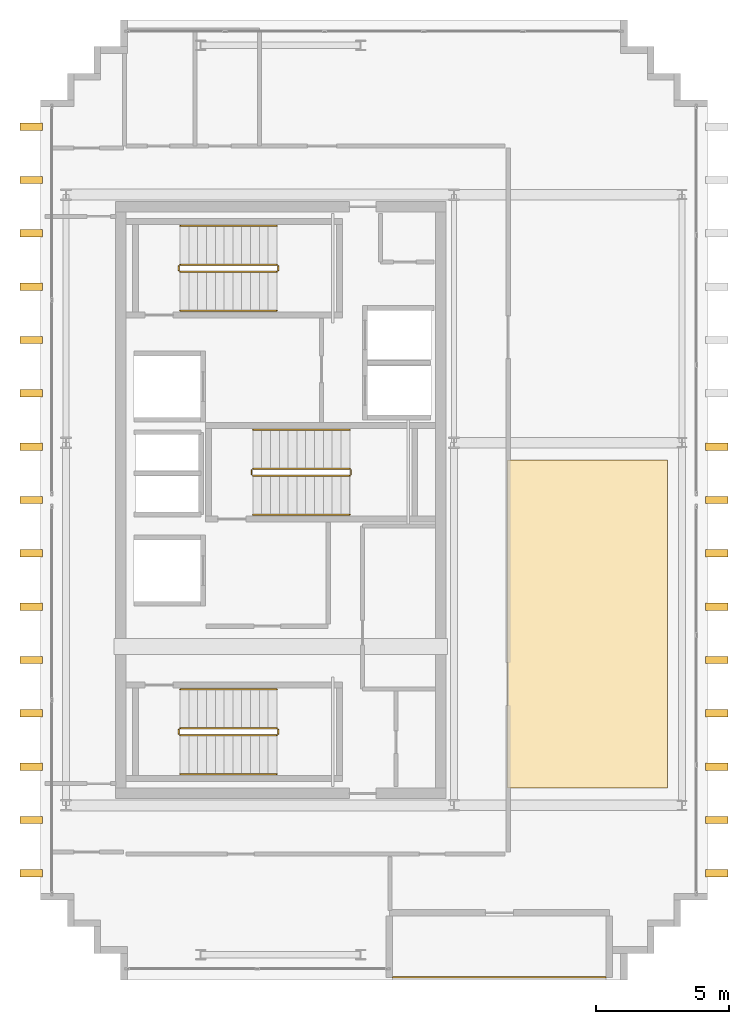
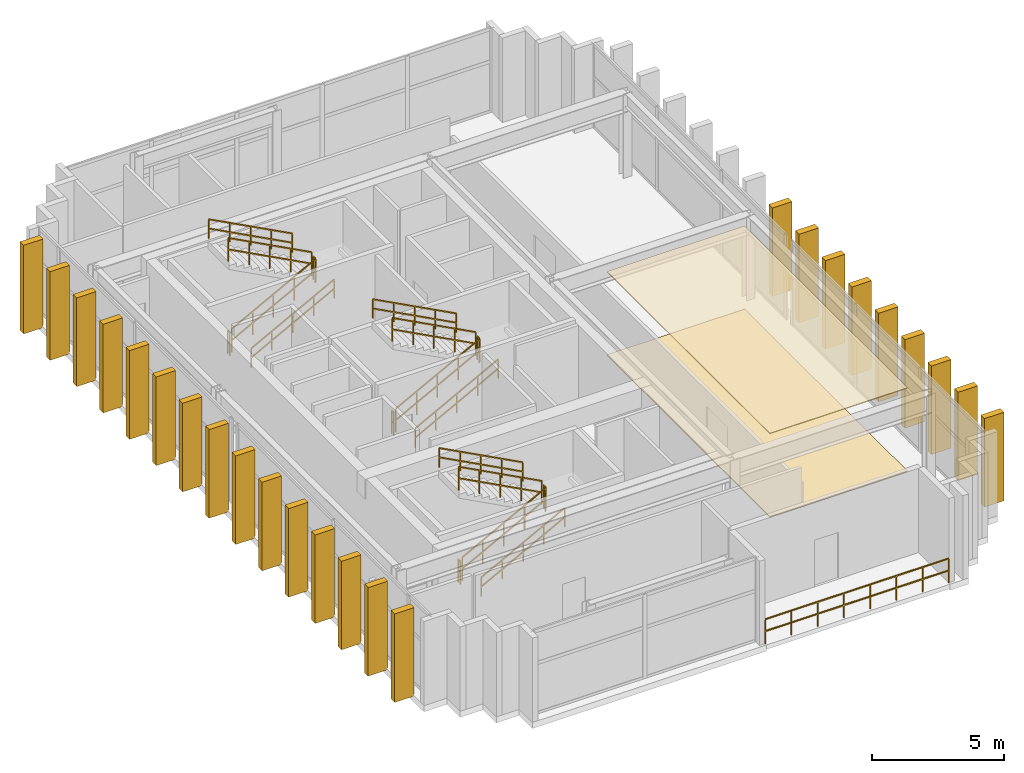
# One storey, part 14 of 15: 24 shading devices, 19 railings, 2 coverings.
"""IFC4 building model written with IfcOpenShell, lengths in metres."""

from ifc_helpers import new_model, si_unit, direction, frame, origin, origin_2d, place, context, subcontext, project, spatial, polyline, rectangle, outline, extrude, source, transform, mapped, material, layer, layer_set, type_object, element, save


model = new_model("IFC4")

# Units and contexts
model_context = context("Model", 3, precision=1e-05, world=origin(), true_north=direction((0.0, 1.0)))
body_context = subcontext(model_context, "Body", "Model", "MODEL_VIEW")
ifc_project = project(units=[si_unit("LENGTHUNIT", "METRE"), si_unit("AREAUNIT", "SQUARE_METRE"), si_unit("VOLUMEUNIT", "CUBIC_METRE"), si_unit("PLANEANGLEUNIT", "RADIAN"), si_unit("MASSUNIT", "GRAM", prefix="KILO")], contexts=[model_context])

# Site, building, storey
site_placement = place(None, origin())
site = spatial("IfcSite", under=ifc_project, at=site_placement, CompositionType="ELEMENT")
building_placement = place(site_placement, origin())
building = spatial("IfcBuilding", under=site, at=building_placement, Name="Ocotamira Hotel", CompositionType="ELEMENT")
storey_placement = place(building_placement, frame((0.0, 0.0, 305.39990234375)))
storey = spatial("IfcBuildingStorey", under=building, at=storey_placement, Name="L78", CompositionType="ELEMENT", Elevation=305.39990234375)

# Coverings
ifc_material_1 = material(Name="Baffled acoustic wood-slat and gypsum ceiling", Category="wood")
ifc_layer_1 = layer(ifc_material_1, 0.0400390625)
ifc_layer_set_1 = layer_set([ifc_layer_1], Name="Baffled acoustic wood-slat and gypsum ceiling")
covering_type_1 = type_object("IfcCoveringType", Name="COV-CEIL-40", PredefinedType="CEILING", material=ifc_layer_set_1)
covering_1_placement = place(storey_placement, frame((0.0, 0.0, 3.840087890625)))
element("IfcCovering", 1, at=covering_1_placement, inside=storey, type_object=covering_type_1, Name="L78 Acoustic Ceiling", PredefinedType="CEILING", context=body_context, shape_type="SweptSolid", body=[
    extrude(outline(polyline([(25.5, 15.199951171875), (31.5, 15.199951171875), (31.5, 27.5), (25.5, 27.5), (25.5, 15.199951171875)])), origin(), (0.0, 0.0, 1.0), 0.0400390625),
])
ifc_material_2 = material(Name="Thick-bed honed Mojave limestone flooring", Category="masonry")
ifc_layer_2 = layer(ifc_material_2, 0.044921875)
ifc_layer_set_2 = layer_set([ifc_layer_2], Name="Thick-bed honed Mojave limestone flooring")
covering_type_2 = type_object("IfcCoveringType", Name="COV-FLOR-45", PredefinedType="FLOORING", material=ifc_layer_set_2)
covering_2_placement = place(storey_placement, origin())
element("IfcCovering", 2, at=covering_2_placement, inside=storey, type_object=covering_type_2, Name="L78 Honed Stone Floor Finish", PredefinedType="FLOORING", context=body_context, shape_type="SweptSolid", body=[
    extrude(outline(polyline([(25.5, 15.199951171875), (31.5, 15.199951171875), (31.5, 27.5), (25.5, 27.5), (25.5, 15.199951171875)])), origin(), (0.0, 0.0, 1.0), 0.045166015625),
])

# Railings
ifc_material_3 = material(Name="Laminated glass and pale-metal balustrade", Category="glass")
railing_type_1 = type_object("IfcRailingType", Name="RL-BAL-1150", PredefinedType="BALUSTRADE", material=ifc_material_3)
railing_1_placement = place(storey_placement, frame((21.199951171875, 8.10009765625, 0.0)))
element("IfcRailing", 3, at=railing_1_placement, inside=storey, type_object=railing_type_1, Name="L78 Sky Terrace Balustrade 1", PredefinedType="BALUSTRADE", context=body_context, shape_type="SweptSolid", body=[
    extrude(rectangle(XDim=0.048095703125, YDim=0.048095703125, at=origin_2d()), frame((0.0, 0.0, 1.1259765625), z_axis=(1.0, 0.0, 0.0), x_axis=(0.0, 1.0, 0.0)), (0.0, 0.0, 1.0), 8.0),
    extrude(rectangle(XDim=0.048095703125, YDim=0.048095703125, at=origin_2d()), frame((0.0, 0.0, 0.574951171875), z_axis=(1.0, 0.0, 0.0), x_axis=(0.0, 1.0, 0.0)), (0.0, 0.0, 1.0), 8.0),
    extrude(rectangle(XDim=0.0419921875, YDim=0.0419921875, at=origin_2d()), origin(), (0.0, 0.0, 1.0), 1.101806640625),
    extrude(rectangle(XDim=0.0419921875, YDim=0.0419921875, at=origin_2d()), frame((1.142822265625, 0.0, 0.0)), (0.0, 0.0, 1.0), 1.101806640625),
    extrude(rectangle(XDim=0.0419921875, YDim=0.0419921875, at=origin_2d()), frame((2.28564453125, 0.0, 0.0)), (0.0, 0.0, 1.0), 1.101806640625),
    extrude(rectangle(XDim=0.0419921875, YDim=0.0419921875, at=origin_2d()), frame((3.428466796875, 0.0, 0.0)), (0.0, 0.0, 1.0), 1.101806640625),
    extrude(rectangle(XDim=0.0419921875, YDim=0.0419921875, at=origin_2d()), frame((4.571533203125, 0.0, 0.0)), (0.0, 0.0, 1.0), 1.101806640625),
    extrude(rectangle(XDim=0.0419921875, YDim=0.0419921875, at=origin_2d()), frame((5.71435546875, 0.0, 0.0)), (0.0, 0.0, 1.0), 1.101806640625),
    extrude(rectangle(XDim=0.0419921875, YDim=0.0419921875, at=origin_2d()), frame((6.857177734375, 0.0, 0.0)), (0.0, 0.0, 1.0), 1.101806640625),
    extrude(rectangle(XDim=0.0419921875, YDim=0.0419921875, at=origin_2d()), frame((8.0, 0.0, 0.0)), (0.0, 0.0, 1.0), 1.101806640625),
])
ifc_material_4 = material(Name="Brushed stainless steel handrail", Category="steel")
railing_type_2 = type_object("IfcRailingType", Name="RL-HAND-900", PredefinedType="HANDRAIL", material=ifc_material_4)
railing_2_placement = place(storey_placement, frame((13.22998046875, 15.719970703125, 0.35009765625)))
element("IfcRailing", 4, at=railing_2_placement, inside=storey, type_object=railing_type_2, Name="L78 ST-1 stair handrail 1", PredefinedType="HANDRAIL", context=body_context, shape_type="SweptSolid", body=[
    extrude(rectangle(XDim=0.048095703125, YDim=0.048095703125, at=origin_2d()), frame((0.0, 0.0, 0.8759765625), z_axis=(0.883463965148, 0.0, 0.468499116632), x_axis=(0.0, 1.0, 0.0)), (0.0, 0.0, 1.0), 4.10888671875),
    extrude(rectangle(XDim=0.048095703125, YDim=0.048095703125, at=origin_2d()), frame((0.0, 0.0, 0.449951171875), z_axis=(0.883463965148, 0.0, 0.468499116632), x_axis=(0.0, 1.0, 0.0)), (0.0, 0.0, 1.0), 4.10888671875),
    extrude(rectangle(XDim=0.0419921875, YDim=0.0419921875, at=origin_2d()), origin(), (0.0, 0.0, 1.0), 0.851806640625),
    extrude(rectangle(XDim=0.0419921875, YDim=0.0419921875, at=origin_2d()), frame((0.907470703125, 0.0, 0.481201171875)), (0.0, 0.0, 1.0), 0.851806640625),
    extrude(rectangle(XDim=0.0419921875, YDim=0.0419921875, at=origin_2d()), frame((1.81494140625, 0.0, 0.96240234375)), (0.0, 0.0, 1.0), 0.851806640625),
    extrude(rectangle(XDim=0.0419921875, YDim=0.0419921875, at=origin_2d()), frame((2.72265625, 0.0, 1.44384765625)), (0.0, 0.0, 1.0), 0.851806640625),
    extrude(rectangle(XDim=0.0419921875, YDim=0.0419921875, at=origin_2d()), frame((3.630126953125, 0.0, 1.925048828125)), (0.0, 0.0, 1.0), 0.851806640625),
])
railing_3_placement = place(storey_placement, frame((16.860107421875, 18.89990234375, 2.4501953125)))
element("IfcRailing", 5, at=railing_3_placement, inside=storey, type_object=railing_type_2, Name="L78 ST-1 stair handrail 2", PredefinedType="HANDRAIL", context=body_context, shape_type="SweptSolid", body=[
    extrude(rectangle(XDim=0.048095703125, YDim=0.048095703125, at=origin_2d()), frame((0.0, 0.0, 0.8759765625), z_axis=(-0.88348855723, 0.0, 0.468452739606), x_axis=(0.0, -1.0, 0.0)), (0.0, 0.0, 1.0), 4.10888671875),
    extrude(rectangle(XDim=0.048095703125, YDim=0.048095703125, at=origin_2d()), frame((0.0, 0.0, 0.449951171875), z_axis=(-0.88348855723, 0.0, 0.468452739606), x_axis=(0.0, -1.0, 0.0)), (0.0, 0.0, 1.0), 4.10888671875),
    extrude(rectangle(XDim=0.0419921875, YDim=0.0419921875, at=origin_2d()), origin(), (0.0, 0.0, 1.0), 0.851806640625),
    extrude(rectangle(XDim=0.0419921875, YDim=0.0419921875, at=origin_2d()), frame((-0.907470703125, 0.0, 0.481201171875)), (0.0, 0.0, 1.0), 0.851806640625),
    extrude(rectangle(XDim=0.0419921875, YDim=0.0419921875, at=origin_2d()), frame((-1.81494140625, 0.0, 0.96240234375)), (0.0, 0.0, 1.0), 0.851806640625),
    extrude(rectangle(XDim=0.0419921875, YDim=0.0419921875, at=origin_2d()), frame((-2.72265625, 0.0, 1.443603515625)), (0.0, 0.0, 1.0), 0.851806640625),
    extrude(rectangle(XDim=0.0419921875, YDim=0.0419921875, at=origin_2d()), frame((-3.630126953125, 0.0, 1.9248046875)), (0.0, 0.0, 1.0), 0.851806640625),
])
railing_4_placement = place(storey_placement, frame((13.22998046875, 33.10009765625, 0.35009765625)))
element("IfcRailing", 6, at=railing_4_placement, inside=storey, type_object=railing_type_2, Name="L78 ST-2 stair handrail 1", PredefinedType="HANDRAIL", context=body_context, shape_type="SweptSolid", body=[
    extrude(rectangle(XDim=0.048095703125, YDim=0.048095703125, at=origin_2d()), frame((0.0, 0.0, 0.8759765625), z_axis=(0.883463965148, 0.0, 0.468499116632), x_axis=(0.0, 1.0, 0.0)), (0.0, 0.0, 1.0), 4.10888671875),
    extrude(rectangle(XDim=0.048095703125, YDim=0.048095703125, at=origin_2d()), frame((0.0, 0.0, 0.449951171875), z_axis=(0.883463965148, 0.0, 0.468499116632), x_axis=(0.0, 1.0, 0.0)), (0.0, 0.0, 1.0), 4.10888671875),
    extrude(rectangle(XDim=0.0419921875, YDim=0.0419921875, at=origin_2d()), origin(), (0.0, 0.0, 1.0), 0.851806640625),
    extrude(rectangle(XDim=0.0419921875, YDim=0.0419921875, at=origin_2d()), frame((0.907470703125, 0.0, 0.481201171875)), (0.0, 0.0, 1.0), 0.851806640625),
    extrude(rectangle(XDim=0.0419921875, YDim=0.0419921875, at=origin_2d()), frame((1.81494140625, 0.0, 0.96240234375)), (0.0, 0.0, 1.0), 0.851806640625),
    extrude(rectangle(XDim=0.0419921875, YDim=0.0419921875, at=origin_2d()), frame((2.72265625, 0.0, 1.44384765625)), (0.0, 0.0, 1.0), 0.851806640625),
    extrude(rectangle(XDim=0.0419921875, YDim=0.0419921875, at=origin_2d()), frame((3.630126953125, 0.0, 1.925048828125)), (0.0, 0.0, 1.0), 0.851806640625),
])
railing_5_placement = place(storey_placement, frame((16.860107421875, 36.280029296875, 2.4501953125)))
element("IfcRailing", 7, at=railing_5_placement, inside=storey, type_object=railing_type_2, Name="L78 ST-2 stair handrail 2", PredefinedType="HANDRAIL", context=body_context, shape_type="SweptSolid", body=[
    extrude(rectangle(XDim=0.048095703125, YDim=0.048095703125, at=origin_2d()), frame((0.0, 0.0, 0.8759765625), z_axis=(-0.88348855723, 0.0, 0.468452739606), x_axis=(0.0, -1.0, 0.0)), (0.0, 0.0, 1.0), 4.10888671875),
    extrude(rectangle(XDim=0.048095703125, YDim=0.048095703125, at=origin_2d()), frame((0.0, 0.0, 0.449951171875), z_axis=(-0.88348855723, 0.0, 0.468452739606), x_axis=(0.0, -1.0, 0.0)), (0.0, 0.0, 1.0), 4.10888671875),
    extrude(rectangle(XDim=0.0419921875, YDim=0.0419921875, at=origin_2d()), origin(), (0.0, 0.0, 1.0), 0.851806640625),
    extrude(rectangle(XDim=0.0419921875, YDim=0.0419921875, at=origin_2d()), frame((-0.907470703125, 0.0, 0.481201171875)), (0.0, 0.0, 1.0), 0.851806640625),
    extrude(rectangle(XDim=0.0419921875, YDim=0.0419921875, at=origin_2d()), frame((-1.81494140625, 0.0, 0.96240234375)), (0.0, 0.0, 1.0), 0.851806640625),
    extrude(rectangle(XDim=0.0419921875, YDim=0.0419921875, at=origin_2d()), frame((-2.72265625, 0.0, 1.443603515625)), (0.0, 0.0, 1.0), 0.851806640625),
    extrude(rectangle(XDim=0.0419921875, YDim=0.0419921875, at=origin_2d()), frame((-3.630126953125, 0.0, 1.9248046875)), (0.0, 0.0, 1.0), 0.851806640625),
])
railing_6_placement = place(storey_placement, frame((15.9599609375, 25.449951171875, 0.35009765625)))
element("IfcRailing", 8, at=railing_6_placement, inside=storey, type_object=railing_type_2, Name="L78 ST-3 stair handrail 1", PredefinedType="HANDRAIL", context=body_context, shape_type="SweptSolid", body=[
    extrude(rectangle(XDim=0.048095703125, YDim=0.048095703125, at=origin_2d()), frame((0.0, 0.0, 0.8759765625), z_axis=(0.883463965148, 0.0, 0.468499116632), x_axis=(0.0, 1.0, 0.0)), (0.0, 0.0, 1.0), 4.10888671875),
    extrude(rectangle(XDim=0.048095703125, YDim=0.048095703125, at=origin_2d()), frame((0.0, 0.0, 0.449951171875), z_axis=(0.883463965148, 0.0, 0.468499116632), x_axis=(0.0, 1.0, 0.0)), (0.0, 0.0, 1.0), 4.10888671875),
    extrude(rectangle(XDim=0.0419921875, YDim=0.0419921875, at=origin_2d()), origin(), (0.0, 0.0, 1.0), 0.851806640625),
    extrude(rectangle(XDim=0.0419921875, YDim=0.0419921875, at=origin_2d()), frame((0.907470703125, 0.0, 0.481201171875)), (0.0, 0.0, 1.0), 0.851806640625),
    extrude(rectangle(XDim=0.0419921875, YDim=0.0419921875, at=origin_2d()), frame((1.81494140625, 0.0, 0.96240234375)), (0.0, 0.0, 1.0), 0.851806640625),
    extrude(rectangle(XDim=0.0419921875, YDim=0.0419921875, at=origin_2d()), frame((2.72265625, 0.0, 1.44384765625)), (0.0, 0.0, 1.0), 0.851806640625),
    extrude(rectangle(XDim=0.0419921875, YDim=0.0419921875, at=origin_2d()), frame((3.630126953125, 0.0, 1.925048828125)), (0.0, 0.0, 1.0), 0.851806640625),
])
railing_7_placement = place(storey_placement, frame((19.590087890625, 28.6298828125, 2.4501953125)))
element("IfcRailing", 9, at=railing_7_placement, inside=storey, type_object=railing_type_2, Name="L78 ST-3 stair handrail 2", PredefinedType="HANDRAIL", context=body_context, shape_type="SweptSolid", body=[
    extrude(rectangle(XDim=0.048095703125, YDim=0.048095703125, at=origin_2d()), frame((0.0, 0.0, 0.8759765625), z_axis=(-0.88348855723, 0.0, 0.468452739606), x_axis=(0.0, -1.0, 0.0)), (0.0, 0.0, 1.0), 4.10888671875),
    extrude(rectangle(XDim=0.048095703125, YDim=0.048095703125, at=origin_2d()), frame((0.0, 0.0, 0.449951171875), z_axis=(-0.88348855723, 0.0, 0.468452739606), x_axis=(0.0, -1.0, 0.0)), (0.0, 0.0, 1.0), 4.10888671875),
    extrude(rectangle(XDim=0.0419921875, YDim=0.0419921875, at=origin_2d()), origin(), (0.0, 0.0, 1.0), 0.851806640625),
    extrude(rectangle(XDim=0.0419921875, YDim=0.0419921875, at=origin_2d()), frame((-0.907470703125, 0.0, 0.481201171875)), (0.0, 0.0, 1.0), 0.851806640625),
    extrude(rectangle(XDim=0.0419921875, YDim=0.0419921875, at=origin_2d()), frame((-1.81494140625, 0.0, 0.96240234375)), (0.0, 0.0, 1.0), 0.851806640625),
    extrude(rectangle(XDim=0.0419921875, YDim=0.0419921875, at=origin_2d()), frame((-2.72265625, 0.0, 1.443603515625)), (0.0, 0.0, 1.0), 0.851806640625),
    extrude(rectangle(XDim=0.0419921875, YDim=0.0419921875, at=origin_2d()), frame((-3.630126953125, 0.0, 1.9248046875)), (0.0, 0.0, 1.0), 0.851806640625),
])
ifc_material_5 = material(Name="Painted steel stair guardrail", Category="steel")
railing_type_3 = type_object("IfcRailingType", Name="RL-STAIR-1100", PredefinedType="GUARDRAIL", material=ifc_material_5)
railing_8_placement = place(storey_placement, frame((13.22998046875, 17.179931640625, 0.175048828125)))
element("IfcRailing", 10, at=railing_8_placement, inside=storey, type_object=railing_type_3, Name="L78 ST-1 stair guard 1", PredefinedType="GUARDRAIL", context=body_context, shape_type="SweptSolid", body=[
    extrude(rectangle(XDim=0.048095703125, YDim=0.048095703125, at=origin_2d()), frame((0.0, 0.0, 1.076171875), z_axis=(0.883463965148, 0.0, 0.468499116632), x_axis=(0.0, 1.0, 0.0)), (0.0, 0.0, 1.0), 4.10888671875),
    extrude(rectangle(XDim=0.048095703125, YDim=0.048095703125, at=origin_2d()), frame((0.0, 0.0, 0.550048828125), z_axis=(0.883463965148, 0.0, 0.468499116632), x_axis=(0.0, 1.0, 0.0)), (0.0, 0.0, 1.0), 4.10888671875),
    extrude(rectangle(XDim=0.0419921875, YDim=0.0419921875, at=origin_2d()), origin(), (0.0, 0.0, 1.0), 1.052001953125),
    extrude(rectangle(XDim=0.0419921875, YDim=0.0419921875, at=origin_2d()), frame((0.907470703125, 0.0, 0.481201171875)), (0.0, 0.0, 1.0), 1.052001953125),
    extrude(rectangle(XDim=0.0419921875, YDim=0.0419921875, at=origin_2d()), frame((1.81494140625, 0.0, 0.96240234375)), (0.0, 0.0, 1.0), 1.052001953125),
    extrude(rectangle(XDim=0.0419921875, YDim=0.0419921875, at=origin_2d()), frame((2.72265625, 0.0, 1.44384765625)), (0.0, 0.0, 1.0), 1.052001953125),
    extrude(rectangle(XDim=0.0419921875, YDim=0.0419921875, at=origin_2d()), frame((3.630126953125, 0.0, 1.925048828125)), (0.0, 0.0, 1.0), 1.052001953125),
])
railing_9_placement = place(storey_placement, frame((16.909912109375, 17.22998046875, 2.10009765625)))
element("IfcRailing", 11, at=railing_9_placement, inside=storey, type_object=railing_type_3, Name="L78 ST-1 stair guard 2", PredefinedType="GUARDRAIL", context=body_context, shape_type="SweptSolid", body=[
    extrude(rectangle(XDim=0.048095703125, YDim=0.048095703125, at=origin_2d()), frame((0.0, 0.0, 1.076171875), z_axis=(0.0, 1.0, 0.0), x_axis=(-1.0, 0.0, 0.0)), (0.0, 0.0, 1.0), 0.159912109375),
    extrude(rectangle(XDim=0.048095703125, YDim=0.048095703125, at=origin_2d()), frame((0.0, 0.0, 0.550048828125), z_axis=(0.0, 1.0, 0.0), x_axis=(-1.0, 0.0, 0.0)), (0.0, 0.0, 1.0), 0.159912109375),
    extrude(rectangle(XDim=0.0419921875, YDim=0.0419921875, at=origin_2d()), origin(), (0.0, 0.0, 1.0), 1.052001953125),
    extrude(rectangle(XDim=0.0419921875, YDim=0.0419921875, at=origin_2d()), frame((0.0, 0.159912109375, 0.0)), (0.0, 0.0, 1.0), 1.052001953125),
])
railing_10_placement = place(storey_placement, frame((16.860107421875, 17.43994140625, 2.275146484375)))
element("IfcRailing", 12, at=railing_10_placement, inside=storey, type_object=railing_type_3, Name="L78 ST-1 stair guard 3", PredefinedType="GUARDRAIL", context=body_context, shape_type="SweptSolid", body=[
    extrude(rectangle(XDim=0.048095703125, YDim=0.048095703125, at=origin_2d()), frame((0.0, 0.0, 1.076171875), z_axis=(-0.883463965148, 0.0, 0.468499116632), x_axis=(0.0, -1.0, 0.0)), (0.0, 0.0, 1.0), 4.10888671875),
    extrude(rectangle(XDim=0.048095703125, YDim=0.048095703125, at=origin_2d()), frame((0.0, 0.0, 0.550048828125), z_axis=(-0.883463965148, 0.0, 0.468499116632), x_axis=(0.0, -1.0, 0.0)), (0.0, 0.0, 1.0), 4.10888671875),
    extrude(rectangle(XDim=0.0419921875, YDim=0.0419921875, at=origin_2d()), origin(), (0.0, 0.0, 1.0), 1.052001953125),
    extrude(rectangle(XDim=0.0419921875, YDim=0.0419921875, at=origin_2d()), frame((-0.907470703125, 0.0, 0.481201171875)), (0.0, 0.0, 1.0), 1.052001953125),
    extrude(rectangle(XDim=0.0419921875, YDim=0.0419921875, at=origin_2d()), frame((-1.81494140625, 0.0, 0.96240234375)), (0.0, 0.0, 1.0), 1.052001953125),
    extrude(rectangle(XDim=0.0419921875, YDim=0.0419921875, at=origin_2d()), frame((-2.72265625, 0.0, 1.44384765625)), (0.0, 0.0, 1.0), 1.052001953125),
    extrude(rectangle(XDim=0.0419921875, YDim=0.0419921875, at=origin_2d()), frame((-3.630126953125, 0.0, 1.925048828125)), (0.0, 0.0, 1.0), 1.052001953125),
])
railing_11_placement = place(storey_placement, frame((13.179931640625, 17.22998046875, 0.0)))
element("IfcRailing", 13, at=railing_11_placement, inside=storey, type_object=railing_type_3, Name="L78 ST-1 stair guard 4", PredefinedType="GUARDRAIL", context=body_context, shape_type="SweptSolid", body=[
    extrude(rectangle(XDim=0.048095703125, YDim=0.048095703125, at=origin_2d()), frame((0.0, 0.0, 1.076171875), z_axis=(0.0, 1.0, 0.0), x_axis=(-1.0, 0.0, 0.0)), (0.0, 0.0, 1.0), 0.159912109375),
    extrude(rectangle(XDim=0.048095703125, YDim=0.048095703125, at=origin_2d()), frame((0.0, 0.0, 0.550048828125), z_axis=(0.0, 1.0, 0.0), x_axis=(-1.0, 0.0, 0.0)), (0.0, 0.0, 1.0), 0.159912109375),
    extrude(rectangle(XDim=0.0419921875, YDim=0.0419921875, at=origin_2d()), origin(), (0.0, 0.0, 1.0), 1.052001953125),
    extrude(rectangle(XDim=0.0419921875, YDim=0.0419921875, at=origin_2d()), frame((0.0, 0.159912109375, 0.0)), (0.0, 0.0, 1.0), 1.052001953125),
])
railing_12_placement = place(storey_placement, frame((13.22998046875, 34.56005859375, 0.175048828125)))
element("IfcRailing", 14, at=railing_12_placement, inside=storey, type_object=railing_type_3, Name="L78 ST-2 stair guard 1", PredefinedType="GUARDRAIL", context=body_context, shape_type="SweptSolid", body=[
    extrude(rectangle(XDim=0.048095703125, YDim=0.048095703125, at=origin_2d()), frame((0.0, 0.0, 1.076171875), z_axis=(0.883463965148, 0.0, 0.468499116632), x_axis=(0.0, 1.0, 0.0)), (0.0, 0.0, 1.0), 4.10888671875),
    extrude(rectangle(XDim=0.048095703125, YDim=0.048095703125, at=origin_2d()), frame((0.0, 0.0, 0.550048828125), z_axis=(0.883463965148, 0.0, 0.468499116632), x_axis=(0.0, 1.0, 0.0)), (0.0, 0.0, 1.0), 4.10888671875),
    extrude(rectangle(XDim=0.0419921875, YDim=0.0419921875, at=origin_2d()), origin(), (0.0, 0.0, 1.0), 1.052001953125),
    extrude(rectangle(XDim=0.0419921875, YDim=0.0419921875, at=origin_2d()), frame((0.907470703125, 0.0, 0.481201171875)), (0.0, 0.0, 1.0), 1.052001953125),
    extrude(rectangle(XDim=0.0419921875, YDim=0.0419921875, at=origin_2d()), frame((1.81494140625, 0.0, 0.96240234375)), (0.0, 0.0, 1.0), 1.052001953125),
    extrude(rectangle(XDim=0.0419921875, YDim=0.0419921875, at=origin_2d()), frame((2.72265625, 0.0, 1.44384765625)), (0.0, 0.0, 1.0), 1.052001953125),
    extrude(rectangle(XDim=0.0419921875, YDim=0.0419921875, at=origin_2d()), frame((3.630126953125, 0.0, 1.925048828125)), (0.0, 0.0, 1.0), 1.052001953125),
])
railing_13_placement = place(storey_placement, frame((16.909912109375, 34.610107421875, 2.10009765625)))
element("IfcRailing", 15, at=railing_13_placement, inside=storey, type_object=railing_type_3, Name="L78 ST-2 stair guard 2", PredefinedType="GUARDRAIL", context=body_context, shape_type="SweptSolid", body=[
    extrude(rectangle(XDim=0.048095703125, YDim=0.048095703125, at=origin_2d()), frame((0.0, 0.0, 1.076171875), z_axis=(0.0, 1.0, 0.0), x_axis=(-1.0, 0.0, 0.0)), (0.0, 0.0, 1.0), 0.159912109375),
    extrude(rectangle(XDim=0.048095703125, YDim=0.048095703125, at=origin_2d()), frame((0.0, 0.0, 0.550048828125), z_axis=(0.0, 1.0, 0.0), x_axis=(-1.0, 0.0, 0.0)), (0.0, 0.0, 1.0), 0.159912109375),
    extrude(rectangle(XDim=0.0419921875, YDim=0.0419921875, at=origin_2d()), origin(), (0.0, 0.0, 1.0), 1.052001953125),
    extrude(rectangle(XDim=0.0419921875, YDim=0.0419921875, at=origin_2d()), frame((0.0, 0.159912109375, 0.0)), (0.0, 0.0, 1.0), 1.052001953125),
])
railing_14_placement = place(storey_placement, frame((16.860107421875, 34.820068359375, 2.275146484375)))
element("IfcRailing", 16, at=railing_14_placement, inside=storey, type_object=railing_type_3, Name="L78 ST-2 stair guard 3", PredefinedType="GUARDRAIL", context=body_context, shape_type="SweptSolid", body=[
    extrude(rectangle(XDim=0.048095703125, YDim=0.048095703125, at=origin_2d()), frame((0.0, 0.0, 1.076171875), z_axis=(-0.883463965148, 0.0, 0.468499116632), x_axis=(0.0, -1.0, 0.0)), (0.0, 0.0, 1.0), 4.10888671875),
    extrude(rectangle(XDim=0.048095703125, YDim=0.048095703125, at=origin_2d()), frame((0.0, 0.0, 0.550048828125), z_axis=(-0.883463965148, 0.0, 0.468499116632), x_axis=(0.0, -1.0, 0.0)), (0.0, 0.0, 1.0), 4.10888671875),
    extrude(rectangle(XDim=0.0419921875, YDim=0.0419921875, at=origin_2d()), origin(), (0.0, 0.0, 1.0), 1.052001953125),
    extrude(rectangle(XDim=0.0419921875, YDim=0.0419921875, at=origin_2d()), frame((-0.907470703125, 0.0, 0.481201171875)), (0.0, 0.0, 1.0), 1.052001953125),
    extrude(rectangle(XDim=0.0419921875, YDim=0.0419921875, at=origin_2d()), frame((-1.81494140625, 0.0, 0.96240234375)), (0.0, 0.0, 1.0), 1.052001953125),
    extrude(rectangle(XDim=0.0419921875, YDim=0.0419921875, at=origin_2d()), frame((-2.72265625, 0.0, 1.44384765625)), (0.0, 0.0, 1.0), 1.052001953125),
    extrude(rectangle(XDim=0.0419921875, YDim=0.0419921875, at=origin_2d()), frame((-3.630126953125, 0.0, 1.925048828125)), (0.0, 0.0, 1.0), 1.052001953125),
])
railing_15_placement = place(storey_placement, frame((13.179931640625, 34.610107421875, 0.0)))
element("IfcRailing", 17, at=railing_15_placement, inside=storey, type_object=railing_type_3, Name="L78 ST-2 stair guard 4", PredefinedType="GUARDRAIL", context=body_context, shape_type="SweptSolid", body=[
    extrude(rectangle(XDim=0.048095703125, YDim=0.048095703125, at=origin_2d()), frame((0.0, 0.0, 1.076171875), z_axis=(0.0, 1.0, 0.0), x_axis=(-1.0, 0.0, 0.0)), (0.0, 0.0, 1.0), 0.159912109375),
    extrude(rectangle(XDim=0.048095703125, YDim=0.048095703125, at=origin_2d()), frame((0.0, 0.0, 0.550048828125), z_axis=(0.0, 1.0, 0.0), x_axis=(-1.0, 0.0, 0.0)), (0.0, 0.0, 1.0), 0.159912109375),
    extrude(rectangle(XDim=0.0419921875, YDim=0.0419921875, at=origin_2d()), origin(), (0.0, 0.0, 1.0), 1.052001953125),
    extrude(rectangle(XDim=0.0419921875, YDim=0.0419921875, at=origin_2d()), frame((0.0, 0.159912109375, 0.0)), (0.0, 0.0, 1.0), 1.052001953125),
])
railing_16_placement = place(storey_placement, frame((15.9599609375, 26.909912109375, 0.175048828125)))
element("IfcRailing", 18, at=railing_16_placement, inside=storey, type_object=railing_type_3, Name="L78 ST-3 stair guard 1", PredefinedType="GUARDRAIL", context=body_context, shape_type="SweptSolid", body=[
    extrude(rectangle(XDim=0.048095703125, YDim=0.048095703125, at=origin_2d()), frame((0.0, 0.0, 1.076171875), z_axis=(0.883463965148, 0.0, 0.468499116632), x_axis=(0.0, 1.0, 0.0)), (0.0, 0.0, 1.0), 4.10888671875),
    extrude(rectangle(XDim=0.048095703125, YDim=0.048095703125, at=origin_2d()), frame((0.0, 0.0, 0.550048828125), z_axis=(0.883463965148, 0.0, 0.468499116632), x_axis=(0.0, 1.0, 0.0)), (0.0, 0.0, 1.0), 4.10888671875),
    extrude(rectangle(XDim=0.0419921875, YDim=0.0419921875, at=origin_2d()), origin(), (0.0, 0.0, 1.0), 1.052001953125),
    extrude(rectangle(XDim=0.0419921875, YDim=0.0419921875, at=origin_2d()), frame((0.907470703125, 0.0, 0.481201171875)), (0.0, 0.0, 1.0), 1.052001953125),
    extrude(rectangle(XDim=0.0419921875, YDim=0.0419921875, at=origin_2d()), frame((1.81494140625, 0.0, 0.96240234375)), (0.0, 0.0, 1.0), 1.052001953125),
    extrude(rectangle(XDim=0.0419921875, YDim=0.0419921875, at=origin_2d()), frame((2.72265625, 0.0, 1.44384765625)), (0.0, 0.0, 1.0), 1.052001953125),
    extrude(rectangle(XDim=0.0419921875, YDim=0.0419921875, at=origin_2d()), frame((3.630126953125, 0.0, 1.925048828125)), (0.0, 0.0, 1.0), 1.052001953125),
])
railing_17_placement = place(storey_placement, frame((19.639892578125, 26.9599609375, 2.10009765625)))
element("IfcRailing", 19, at=railing_17_placement, inside=storey, type_object=railing_type_3, Name="L78 ST-3 stair guard 2", PredefinedType="GUARDRAIL", context=body_context, shape_type="SweptSolid", body=[
    extrude(rectangle(XDim=0.048095703125, YDim=0.048095703125, at=origin_2d()), frame((0.0, 0.0, 1.076171875), z_axis=(0.0, 1.0, 0.0), x_axis=(-1.0, 0.0, 0.0)), (0.0, 0.0, 1.0), 0.16015625),
    extrude(rectangle(XDim=0.048095703125, YDim=0.048095703125, at=origin_2d()), frame((0.0, 0.0, 0.550048828125), z_axis=(0.0, 1.0, 0.0), x_axis=(-1.0, 0.0, 0.0)), (0.0, 0.0, 1.0), 0.16015625),
    extrude(rectangle(XDim=0.0419921875, YDim=0.0419921875, at=origin_2d()), origin(), (0.0, 0.0, 1.0), 1.052001953125),
    extrude(rectangle(XDim=0.0419921875, YDim=0.0419921875, at=origin_2d()), frame((0.0, 0.16015625, 0.0)), (0.0, 0.0, 1.0), 1.052001953125),
])
railing_18_placement = place(storey_placement, frame((19.590087890625, 27.169921875, 2.275146484375)))
element("IfcRailing", 20, at=railing_18_placement, inside=storey, type_object=railing_type_3, Name="L78 ST-3 stair guard 3", PredefinedType="GUARDRAIL", context=body_context, shape_type="SweptSolid", body=[
    extrude(rectangle(XDim=0.048095703125, YDim=0.048095703125, at=origin_2d()), frame((0.0, 0.0, 1.076171875), z_axis=(-0.883463965148, 0.0, 0.468499116632), x_axis=(0.0, -1.0, 0.0)), (0.0, 0.0, 1.0), 4.10888671875),
    extrude(rectangle(XDim=0.048095703125, YDim=0.048095703125, at=origin_2d()), frame((0.0, 0.0, 0.550048828125), z_axis=(-0.883463965148, 0.0, 0.468499116632), x_axis=(0.0, -1.0, 0.0)), (0.0, 0.0, 1.0), 4.10888671875),
    extrude(rectangle(XDim=0.0419921875, YDim=0.0419921875, at=origin_2d()), origin(), (0.0, 0.0, 1.0), 1.052001953125),
    extrude(rectangle(XDim=0.0419921875, YDim=0.0419921875, at=origin_2d()), frame((-0.907470703125, 0.0, 0.481201171875)), (0.0, 0.0, 1.0), 1.052001953125),
    extrude(rectangle(XDim=0.0419921875, YDim=0.0419921875, at=origin_2d()), frame((-1.81494140625, 0.0, 0.96240234375)), (0.0, 0.0, 1.0), 1.052001953125),
    extrude(rectangle(XDim=0.0419921875, YDim=0.0419921875, at=origin_2d()), frame((-2.72265625, 0.0, 1.44384765625)), (0.0, 0.0, 1.0), 1.052001953125),
    extrude(rectangle(XDim=0.0419921875, YDim=0.0419921875, at=origin_2d()), frame((-3.630126953125, 0.0, 1.925048828125)), (0.0, 0.0, 1.0), 1.052001953125),
])
railing_19_placement = place(storey_placement, frame((15.909912109375, 26.9599609375, 0.0)))
element("IfcRailing", 21, at=railing_19_placement, inside=storey, type_object=railing_type_3, Name="L78 ST-3 stair guard 4", PredefinedType="GUARDRAIL", context=body_context, shape_type="SweptSolid", body=[
    extrude(rectangle(XDim=0.048095703125, YDim=0.048095703125, at=origin_2d()), frame((0.0, 0.0, 1.076171875), z_axis=(0.0, 1.0, 0.0), x_axis=(-1.0, 0.0, 0.0)), (0.0, 0.0, 1.0), 0.16015625),
    extrude(rectangle(XDim=0.048095703125, YDim=0.048095703125, at=origin_2d()), frame((0.0, 0.0, 0.550048828125), z_axis=(0.0, 1.0, 0.0), x_axis=(-1.0, 0.0, 0.0)), (0.0, 0.0, 1.0), 0.16015625),
    extrude(rectangle(XDim=0.0419921875, YDim=0.0419921875, at=origin_2d()), origin(), (0.0, 0.0, 1.0), 1.052001953125),
    extrude(rectangle(XDim=0.0419921875, YDim=0.0419921875, at=origin_2d()), frame((0.0, 0.16015625, 0.0)), (0.0, 0.0, 1.0), 1.052001953125),
])

# Shading devices
ifc_material_6 = material(Name="Pale-metal anodised aluminium architectural fin", Category="aluminium")
shading_device_type = type_object("IfcShadingDeviceType", Name="SHD-PIER-850", PredefinedType="USERDEFINED", material=ifc_material_6)
shared_shape = source(origin(), body_context, "Body", "SweptSolid", [
    extrude(rectangle(XDim=0.85009765625, YDim=0.280029296875, at=origin_2d()), origin(), (0.0, 0.0, 1.0), 4.080078125),
])
for number, where, z_axis, x_axis, name in (
    (22, (7.64990234375, 12.0, -0.099853515625), (0.0, 0.0, 1.0), (1.0, 0.0, 0.0), "L78 West Peak Vertical Pier X7 Y12"),
    (23, (33.35009765625, 12.0, -0.099853515625), (0.0, 0.0, 1.0), (1.0, 0.0, 0.0), "L78 West Peak Vertical Pier X33 Y12"),
    (24, (7.64990234375, 14.0, -0.099853515625), (0.0, 0.0, 1.0), (1.0, 0.0, 0.0), "L78 West Peak Vertical Pier X7 Y14"),
    (25, (33.35009765625, 14.0, -0.099853515625), (0.0, 0.0, 1.0), (1.0, 0.0, 0.0), "L78 West Peak Vertical Pier X33 Y14"),
    (26, (7.64990234375, 16.0, -0.099853515625), (0.0, 0.0, 1.0), (1.0, 0.0, 0.0), "L78 West Peak Vertical Pier X7 Y16"),
    (27, (33.35009765625, 16.0, -0.099853515625), (0.0, 0.0, 1.0), (1.0, 0.0, 0.0), "L78 West Peak Vertical Pier X33 Y16"),
    (28, (7.64990234375, 18.0, -0.099853515625), (0.0, 0.0, 1.0), (1.0, 0.0, 0.0), "L78 West Peak Vertical Pier X7 Y18"),
    (29, (33.35009765625, 18.0, -0.099853515625), (0.0, 0.0, 1.0), (1.0, 0.0, 0.0), "L78 West Peak Vertical Pier X33 Y18"),
    (30, (7.64990234375, 20.0, -0.099853515625), (0.0, 0.0, 1.0), (1.0, 0.0, 0.0), "L78 West Peak Vertical Pier X7 Y20"),
    (31, (33.35009765625, 20.0, -0.099853515625), (0.0, 0.0, 1.0), (1.0, 0.0, 0.0), "L78 West Peak Vertical Pier X33 Y20"),
    (32, (7.64990234375, 22.0, -0.099853515625), (0.0, 0.0, 1.0), (1.0, 0.0, 0.0), "L78 West Peak Vertical Pier X7 Y22"),
    (33, (33.35009765625, 22.0, -0.099853515625), (0.0, 0.0, 1.0), (1.0, 0.0, 0.0), "L78 West Peak Vertical Pier X33 Y22"),
    (34, (7.64990234375, 24.0, -0.099853515625), (0.0, 0.0, 1.0), (1.0, 0.0, 0.0), "L78 West Peak Vertical Pier X7 Y24"),
    (35, (33.35009765625, 24.0, -0.099853515625), (0.0, 0.0, 1.0), (1.0, 0.0, 0.0), "L78 West Peak Vertical Pier X33 Y24"),
    (36, (7.64990234375, 26.0, -0.099853515625), (0.0, 0.0, 1.0), (1.0, 0.0, 0.0), "L78 West Peak Vertical Pier X7 Y26"),
    (37, (33.35009765625, 26.0, -0.099853515625), (0.0, 0.0, 1.0), (1.0, 0.0, 0.0), "L78 West Peak Vertical Pier X33 Y26"),
    (38, (7.64990234375, 28.0, -0.099853515625), (0.0, 0.0, 1.0), (1.0, 0.0, 0.0), "L78 West Peak Vertical Pier X7 Y28"),
    (39, (33.35009765625, 28.0, -0.099853515625), (0.0, 0.0, 1.0), (1.0, 0.0, 0.0), "L78 West Peak Vertical Pier X33 Y28"),
    (40, (7.64990234375, 30.0, -0.099853515625), (0.0, 0.0, 1.0), (1.0, 0.0, 0.0), "L78 West Peak Vertical Pier X7 Y30"),
    (41, (7.64990234375, 32.0, -0.099853515625), (0.0, 0.0, 1.0), (1.0, 0.0, 0.0), "L78 West Peak Vertical Pier X7 Y32"),
    (42, (7.64990234375, 34.0, -0.099853515625), (0.0, 0.0, 1.0), (1.0, 0.0, 0.0), "L78 West Peak Vertical Pier X7 Y34"),
    (43, (7.64990234375, 36.0, -0.099853515625), (0.0, 0.0, 1.0), (1.0, 0.0, 0.0), "L78 West Peak Vertical Pier X7 Y36"),
    (44, (7.64990234375, 38.0, -0.099853515625), (0.0, 0.0, 1.0), (1.0, 0.0, 0.0), "L78 West Peak Vertical Pier X7 Y38"),
    (45, (7.64990234375, 40.0, -0.099853515625), (0.0, 0.0, 1.0), (1.0, 0.0, 0.0), "L78 West Peak Vertical Pier X7 Y40"),
):
    element("IfcShadingDevice", number, at=place(storey_placement, frame(where, z_axis=z_axis, x_axis=x_axis)), inside=storey, type_object=shading_device_type, Name=name, ObjectType="FIN", PredefinedType="USERDEFINED", context=body_context, shape_type="MappedRepresentation", body=[
        mapped(shared_shape, transform((0.0, 0.0, 0.0), scale=1.0)),
    ])

save(model, "model.ifc")
